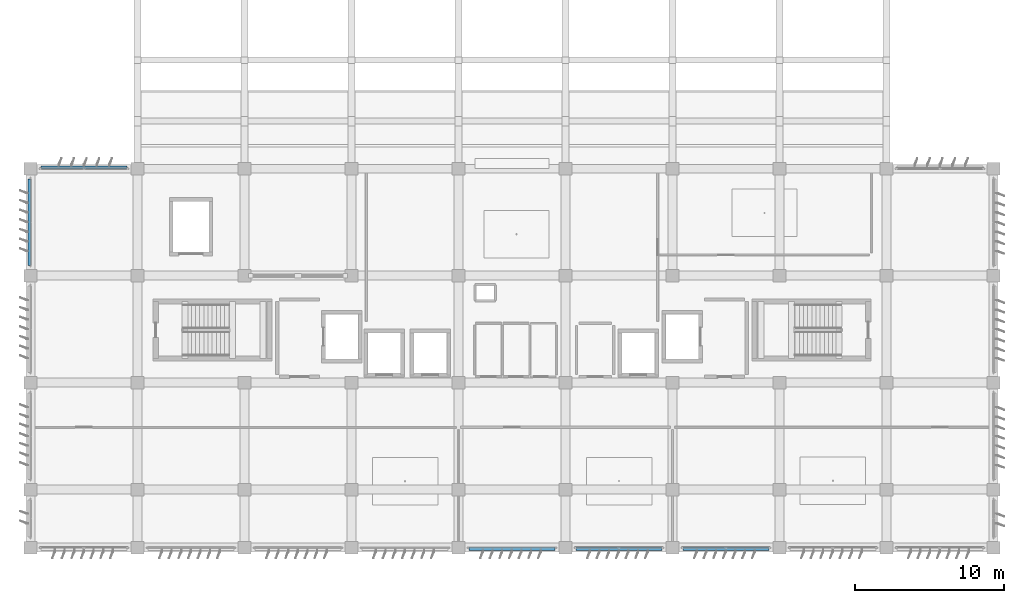
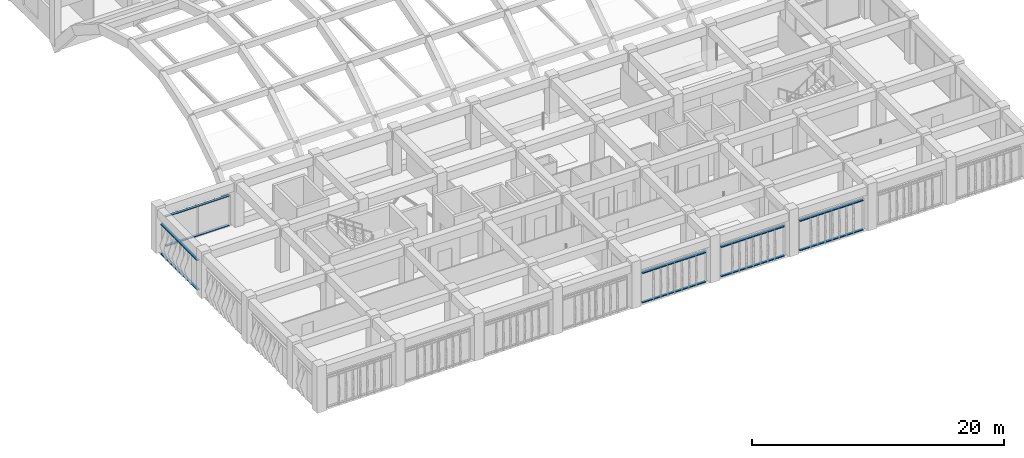
# One storey, part 34 of 48: 10 discrete accessories.
"""IFC4 building model written with IfcOpenShell, lengths in metres."""

from ifc_helpers import new_model, si_unit, direction, frame, origin, origin_2d, place, context, subcontext, project, spatial, rectangle, extrude, material, type_object, element, save


model = new_model("IFC4")

# Units and contexts
model_context = context("Model", 3, precision=1e-05, world=origin(), true_north=direction((0.0, 1.0)))
body_context = subcontext(model_context, "Body", "Model", "MODEL_VIEW")
ifc_project = project(units=[si_unit("LENGTHUNIT", "METRE"), si_unit("AREAUNIT", "SQUARE_METRE"), si_unit("VOLUMEUNIT", "CUBIC_METRE"), si_unit("PLANEANGLEUNIT", "RADIAN"), si_unit("MASSUNIT", "GRAM", prefix="KILO")], contexts=[model_context])

# Site, building, storey
site_placement = place(None, origin())
site = spatial("IfcSite", under=ifc_project, at=site_placement, CompositionType="ELEMENT")
building_placement = place(site_placement, origin())
building = spatial("IfcBuilding", under=site, at=building_placement, Name="Kazehaya Institute of Natural Sciences", CompositionType="ELEMENT")
storey_placement = place(building_placement, frame((0.0, 0.0, 19.800048828125)))
storey = spatial("IfcBuildingStorey", under=building, at=storey_placement, Name="L04", CompositionType="ELEMENT", Elevation=19.800048828125)

# Discrete accessories
ifc_material = material(Name="Aluminium alloy A6063S-T5", Category="aluminium")
discrete_accessory_type = type_object("IfcDiscreteAccessoryType", Name="ACC-BRK-01", PredefinedType="BRACKET", material=ifc_material)
for number, where, z_axis, x_axis, name in (
    (1, (101.39990234375, 10.02490234375, 0.039794921875), (0.0, 0.0, 1.0), (-1.0, 0.0, 0.0), "L04 fin support outrigger rail 1"),
    (2, (101.39990234375, 10.02490234375, 2.8798828125), (0.0, 0.0, 1.0), (-1.0, 0.0, 0.0), "L04 fin support outrigger rail 2"),
    (3, (94.199951171875, 10.02490234375, 0.039794921875), (0.0, 0.0, 1.0), (-1.0, 0.0, 0.0), "L04 fin support outrigger rail 1"),
    (4, (94.199951171875, 10.02490234375, 2.8798828125), (0.0, 0.0, 1.0), (-1.0, 0.0, 0.0), "L04 fin support outrigger rail 2"),
    (5, (87.0, 10.02490234375, 0.039794921875), (0.0, 0.0, 1.0), (-1.0, 0.0, 0.0), "L04 fin support outrigger rail 1"),
    (6, (87.0, 10.02490234375, 2.8798828125), (0.0, 0.0, 1.0), (-1.0, 0.0, 0.0), "L04 fin support outrigger rail 2"),
    (7, (58.199951171875, 35.675048828125, 0.039794921875), (0.0, 0.0, 1.0), (1.0, 0.0, 0.0), "L04 fin support outrigger rail 1"),
    (8, (58.199951171875, 35.675048828125, 2.8798828125), (0.0, 0.0, 1.0), (1.0, 0.0, 0.0), "L04 fin support outrigger rail 2"),
    (9, (54.52490234375, 32.0, 0.039794921875), (0.0, 0.0, 1.0), (0.0, 1.0, 0.0), "L04 fin support outrigger rail 1"),
    (10, (54.52490234375, 32.0, 2.8798828125), (0.0, 0.0, 1.0), (0.0, 1.0, 0.0), "L04 fin support outrigger rail 2"),
):
    element("IfcDiscreteAccessory", number, at=place(storey_placement, frame(where, z_axis=z_axis, x_axis=x_axis)), inside=storey, type_object=discrete_accessory_type, Name=name, PredefinedType="BRACKET", context=body_context, shape_type="SweptSolid", body=[
        extrude(rectangle(XDim=5.800048828125, YDim=0.219970703125, at=origin_2d()), origin(), (0.0, 0.0, 1.0), 0.080078125),
    ])

save(model, "model.ifc")
